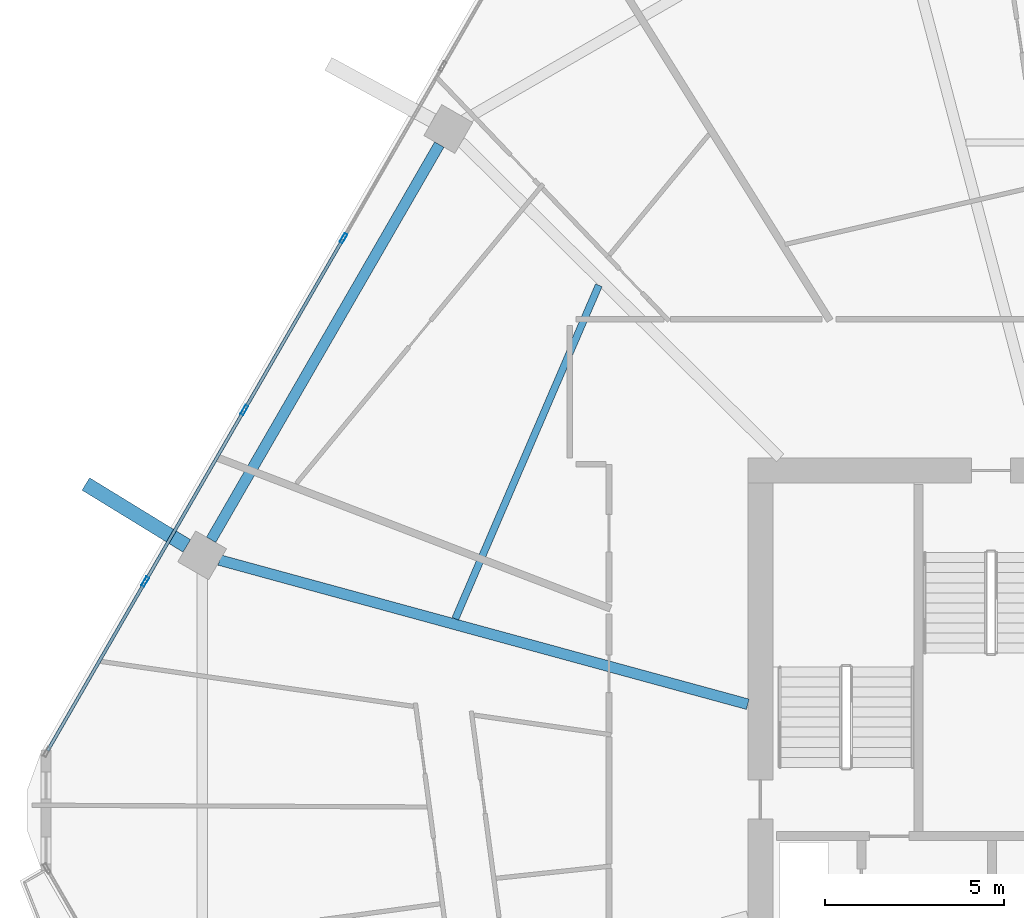
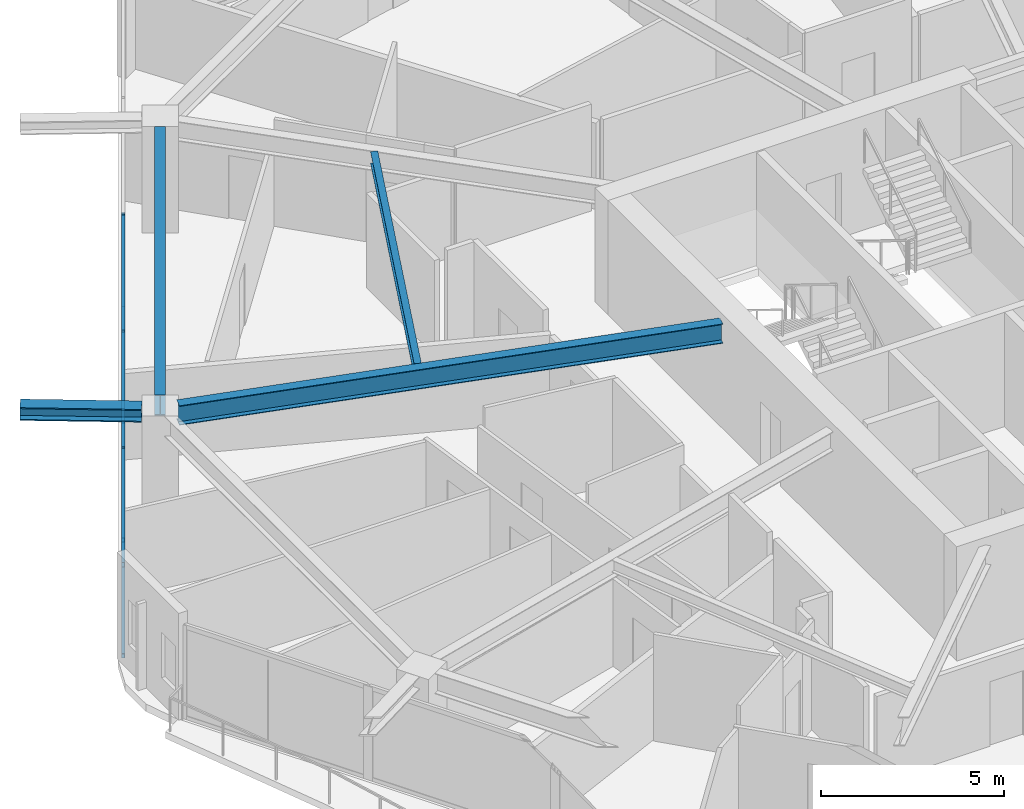
# One storey, part 10 of 25: 9 members, 4 beams, 1 element without a shape of its own.
"""IFC4 building model written with IfcOpenShell, lengths in metres."""

from ifc_helpers import new_model, si_unit, direction, frame, origin, origin_2d, place, context, subcontext, project, spatial, hollow_rectangle, i_section, extrude, material, material_profile, profile_set, type_object, element, aggregate, save


model = new_model("IFC4")

# Units and contexts
model_context = context("Model", 3, precision=1e-05, world=origin(), true_north=direction((0.0, 1.0)))
body_context = subcontext(model_context, "Body", "Model", "MODEL_VIEW")
ifc_project = project(units=[si_unit("LENGTHUNIT", "METRE"), si_unit("AREAUNIT", "SQUARE_METRE"), si_unit("VOLUMEUNIT", "CUBIC_METRE"), si_unit("PLANEANGLEUNIT", "RADIAN"), si_unit("MASSUNIT", "GRAM", prefix="KILO")], contexts=[model_context])

# Site, building, storey
site_placement = place(None, origin())
site = spatial("IfcSite", under=ifc_project, at=site_placement, CompositionType="ELEMENT")
building_placement = place(site_placement, origin())
building = spatial("IfcBuilding", under=site, at=building_placement, Name="Zuhravey Tower", CompositionType="ELEMENT")
storey_placement = place(building_placement, frame((0.0, 0.0, 180.800048828125)))
storey = spatial("IfcBuildingStorey", under=building, at=storey_placement, Name="L45", CompositionType="ELEMENT", Elevation=180.800048828125)

# Curtain wall, members
ifc_material_1 = material(Name="Thermally broken anodised aluminium", Category="aluminium")
curtain_wall_type = type_object("IfcCurtainWallType", Name="Zone 1-2 Residential Curtain Wall CW3", PredefinedType="NOTDEFINED", material=ifc_material_1)
curtain_wall_placement = place(storey_placement, origin())
curtain_wall = element("IfcCurtainWall", 1, at=curtain_wall_placement, inside=storey, type_object=curtain_wall_type, Name="L45 CW3 CW-L45-F3-1", PredefinedType="NOTDEFINED")
ifc_material_2 = material(Name="Anodised aluminium", Category="aluminium")
ifc_material_profile_1 = material_profile(ifc_material_2, hollow_rectangle(XDim=0.090087890625, YDim=0.284912109375, WallThickness=0.0048828125, at=origin_2d()), Name="ALU-RHS-90x285x5")
ifc_profile_set_1 = profile_set([ifc_material_profile_1], Name="Anodised aluminium")
member_type_1 = type_object("IfcMemberType", Name="Curtain-Wall Mullion 90x180", PredefinedType="MULLION", material=ifc_profile_set_1)
member_1_placement = place(storey_placement, frame((8.300537109375, 38.38916015625, 0.0), z_axis=(0.0, 0.0, 1.0), x_axis=(-0.866025138215, 0.500000459979, 0.0)))
member_1 = element("IfcMember", 2, at=member_1_placement, type_object=member_type_1, Name="CW3 mullion 2", PredefinedType="MULLION", context=body_context, shape_type="SweptSolid", body=[
    extrude(hollow_rectangle(XDim=0.090087890625, YDim=0.284912109375, WallThickness=0.0048828125, at=origin_2d()), origin(), (0.0, 0.0, 1.0), 3.1220703125),
])
member_2_placement = place(storey_placement, frame((11.07275390625, 43.190673828125, 0.0), z_axis=(0.0, 0.0, 1.0), x_axis=(-0.866025138215, 0.500000459979, 0.0)))
member_2 = element("IfcMember", 3, at=member_2_placement, type_object=member_type_1, Name="CW3 mullion 3", PredefinedType="MULLION", context=body_context, shape_type="SweptSolid", body=[
    extrude(hollow_rectangle(XDim=0.090087890625, YDim=0.284912109375, WallThickness=0.0048828125, at=origin_2d()), origin(), (0.0, 0.0, 1.0), 3.1220703125),
])
member_3_placement = place(storey_placement, frame((13.844970703125, 47.992431640625, 0.0), z_axis=(0.0, 0.0, 1.0), x_axis=(-0.866025138215, 0.500000459979, 0.0)))
member_3 = element("IfcMember", 4, at=member_3_placement, type_object=member_type_1, Name="CW3 mullion 4", PredefinedType="MULLION", context=body_context, shape_type="SweptSolid", body=[
    extrude(hollow_rectangle(XDim=0.090087890625, YDim=0.284912109375, WallThickness=0.0048828125, at=origin_2d()), origin(), (0.0, 0.0, 1.0), 3.1220703125),
])
ifc_material_profile_2 = material_profile(ifc_material_2, hollow_rectangle(XDim=0.090087890625, YDim=0.14990234375, WallThickness=0.0048828125, at=origin_2d()), Name="ALU-RHS-90x150x5")
ifc_profile_set_2 = profile_set([ifc_material_profile_2], Name="Anodised aluminium")
member_type_2 = type_object("IfcMemberType", Name="Curtain-Wall Transom 90x150", PredefinedType="USERDEFINED", material=ifc_profile_set_2)
member_4_placement = place(storey_placement, frame((5.5732421875, 33.66552734375, 0.044921875), z_axis=(0.499993332629, 0.866029253159, 0.0), x_axis=(-0.866029253159, 0.499993332629, 0.0)))
member_4 = element("IfcMember", 5, at=member_4_placement, type_object=member_type_2, Name="CW3 transom 1.1", ObjectType="TRANSOM", PredefinedType="USERDEFINED", context=body_context, shape_type="SweptSolid", body=[
    extrude(hollow_rectangle(XDim=0.090087890625, YDim=0.14990234375, WallThickness=0.0048828125, at=origin_2d()), origin(), (0.0, 0.0, 1.0), 5.4091796875),
])
member_5_placement = place(storey_placement, frame((5.5732421875, 33.66552734375, 3.076904296875), z_axis=(0.499993332629, 0.866029253159, 0.0), x_axis=(-0.866029253159, 0.499993332629, 0.0)))
member_5 = element("IfcMember", 6, at=member_5_placement, type_object=member_type_2, Name="CW3 transom 1.2", ObjectType="TRANSOM", PredefinedType="USERDEFINED", context=body_context, shape_type="SweptSolid", body=[
    extrude(hollow_rectangle(XDim=0.090087890625, YDim=0.14990234375, WallThickness=0.0048828125, at=origin_2d()), origin(), (0.0, 0.0, 1.0), 5.4091796875),
])
member_6_placement = place(storey_placement, frame((8.322998046875, 38.427978515625, 0.044921875), z_axis=(0.49996138257, 0.86604769842, 0.0), x_axis=(-0.86604769842, 0.49996138257, 0.0)))
member_6 = element("IfcMember", 7, at=member_6_placement, type_object=member_type_2, Name="CW3 transom 2.1", ObjectType="TRANSOM", PredefinedType="USERDEFINED", context=body_context, shape_type="SweptSolid", body=[
    extrude(hollow_rectangle(XDim=0.090087890625, YDim=0.14990234375, WallThickness=0.0048828125, at=origin_2d()), origin(), (0.0, 0.0, 1.0), 5.45458984375),
])
member_7_placement = place(storey_placement, frame((8.322998046875, 38.427978515625, 3.076904296875), z_axis=(0.49996138257, 0.86604769842, 0.0), x_axis=(-0.86604769842, 0.49996138257, 0.0)))
member_7 = element("IfcMember", 8, at=member_7_placement, type_object=member_type_2, Name="CW3 transom 2.2", ObjectType="TRANSOM", PredefinedType="USERDEFINED", context=body_context, shape_type="SweptSolid", body=[
    extrude(hollow_rectangle(XDim=0.090087890625, YDim=0.14990234375, WallThickness=0.0048828125, at=origin_2d()), origin(), (0.0, 0.0, 1.0), 5.45458984375),
])
member_8_placement = place(storey_placement, frame((11.09521484375, 43.229736328125, 0.044921875), z_axis=(0.499980763544, 0.866036509673, 0.0), x_axis=(-0.866036509673, 0.499980763544, 0.0)))
member_8 = element("IfcMember", 9, at=member_8_placement, type_object=member_type_2, Name="CW3 transom 3.1", ObjectType="TRANSOM", PredefinedType="USERDEFINED", context=body_context, shape_type="SweptSolid", body=[
    extrude(hollow_rectangle(XDim=0.090087890625, YDim=0.14990234375, WallThickness=0.0048828125, at=origin_2d()), origin(), (0.0, 0.0, 1.0), 5.454345703125),
])
member_9_placement = place(storey_placement, frame((11.09521484375, 43.229736328125, 3.076904296875), z_axis=(0.499980763544, 0.866036509673, 0.0), x_axis=(-0.866036509673, 0.499980763544, 0.0)))
member_9 = element("IfcMember", 10, at=member_9_placement, type_object=member_type_2, Name="CW3 transom 3.2", ObjectType="TRANSOM", PredefinedType="USERDEFINED", context=body_context, shape_type="SweptSolid", body=[
    extrude(hollow_rectangle(XDim=0.090087890625, YDim=0.14990234375, WallThickness=0.0048828125, at=origin_2d()), origin(), (0.0, 0.0, 1.0), 5.454345703125),
])
aggregate(curtain_wall, [member_1, member_2, member_3, member_4, member_5, member_6, member_7, member_8, member_9])

# Beams
ifc_material_3 = material(Name="Steel SM460", Category="steel")
ifc_material_profile_3 = material_profile(ifc_material_3, i_section(OverallWidth=0.406982421875, OverallDepth=0.427978515625, WebThickness=0.02001953125, FlangeThickness=0.034912109375, at=origin_2d()), Name="H-428x407x20x35")
ifc_profile_set_3 = profile_set([ifc_material_profile_3], Name="Steel SM460")
beam_type_1 = type_object("IfcBeamType", Name="Exoskeleton Node Tie Beam H428x407", PredefinedType="BEAM", material=ifc_profile_set_3)
beam_1_placement = place(storey_placement, frame((9.462646484375, 39.39013671875, 3.3359375), z_axis=(-0.852530266577, 0.522677859269, 0.0), x_axis=(-0.522677859269, -0.852530266577, 0.0)))
element("IfcBeam", 11, at=beam_1_placement, inside=storey, type_object=beam_type_1, Name="L45 Exoskeleton Node Tie NT1-06", PredefinedType="BEAM", context=body_context, shape_type="SweptSolid", body=[
    extrude(i_section(OverallWidth=0.406982421875, OverallDepth=0.427978515625, WebThickness=0.02001953125, FlangeThickness=0.034912109375, at=origin_2d()), origin(), (0.0, 0.0, 1.0), 3.312255859375),
])
ifc_material_4 = material(Name="Steel SM355", Category="steel")
ifc_material_profile_4 = material_profile(ifc_material_4, i_section(OverallWidth=0.300048828125, OverallDepth=0.679931640625, WebThickness=0.012939453125, FlangeThickness=0.02197265625, at=origin_2d()), Name="H-680x300x13x22")
ifc_profile_set_4 = profile_set([ifc_material_profile_4], Name="Steel SM355")
beam_type_2 = type_object("IfcBeamType", Name="Perimeter Ring Beam H680x300", PredefinedType="BEAM", material=ifc_profile_set_4)
beam_2_placement = place(storey_placement, frame((16.52294921875, 50.611083984375, 3.2099609375), z_axis=(-0.499997974489, -0.866026573211, 0.0), x_axis=(0.866026573211, -0.499997974489, 0.0)))
element("IfcBeam", 12, at=beam_2_placement, inside=storey, type_object=beam_type_2, Name="L45 PB2 BM-L45-PB-05", PredefinedType="BEAM", context=body_context, shape_type="SweptSolid", body=[
    extrude(i_section(OverallWidth=0.300048828125, OverallDepth=0.679931640625, WebThickness=0.012939453125, FlangeThickness=0.02197265625, at=origin_2d()), origin(), (0.0, 0.0, 1.0), 12.75830078125),
])
ifc_material_profile_5 = material_profile(ifc_material_4, i_section(OverallWidth=0.300048828125, OverallDepth=0.64990234375, WebThickness=0.012939453125, FlangeThickness=0.02197265625, at=origin_2d()), Name="H-650x300x13x22")
ifc_profile_set_5 = profile_set([ifc_material_profile_5], Name="Steel SM355")
beam_type_3 = type_object("IfcBeamType", Name="Radial Primary Girder H650x300", PredefinedType="BEAM", material=ifc_profile_set_5)
beam_3_placement = place(storey_placement, frame((25.14697265625, 34.96240234375, 3.224853515625), z_axis=(-0.964701601771, 0.263345437667, 0.0), x_axis=(-0.263345437667, -0.964701601771, 0.0)))
element("IfcBeam", 13, at=beam_3_placement, inside=storey, type_object=beam_type_3, Name="L45 RG2 BM-L45-RAD-06", PredefinedType="BEAM", context=body_context, shape_type="SweptSolid", body=[
    extrude(i_section(OverallWidth=0.300048828125, OverallDepth=0.64990234375, WebThickness=0.012939453125, FlangeThickness=0.02197265625, at=origin_2d()), origin(), (0.0, 0.0, 1.0), 15.309814453125),
])
ifc_material_profile_6 = material_profile(ifc_material_4, i_section(OverallWidth=0.199951171875, OverallDepth=0.39990234375, WebThickness=0.008056640625, FlangeThickness=0.012939453125, at=origin_2d()), Name="H-400x200x8x13")
ifc_profile_set_6 = profile_set([ifc_material_profile_6], Name="Steel SM355")
beam_type_4 = type_object("IfcBeamType", Name="Secondary Floor Joist H400x200", PredefinedType="JOIST", material=ifc_profile_set_6)
beam_4_placement = place(storey_placement, frame((20.982421875, 46.676025390625, 3.349853515625), z_axis=(-0.395265853487, -0.918566766799, 0.0), x_axis=(0.918566766799, -0.395265853487, 0.0)))
element("IfcBeam", 14, at=beam_4_placement, inside=storey, type_object=beam_type_4, Name="L45 SJ2 BM-L45-SJ-05-1", PredefinedType="JOIST", context=body_context, shape_type="SweptSolid", body=[
    extrude(i_section(OverallWidth=0.199951171875, OverallDepth=0.39990234375, WebThickness=0.008056640625, FlangeThickness=0.012939453125, at=origin_2d()), origin(), (0.0, 0.0, 1.0), 10.150146484375),
])

save(model, "model.ifc")
